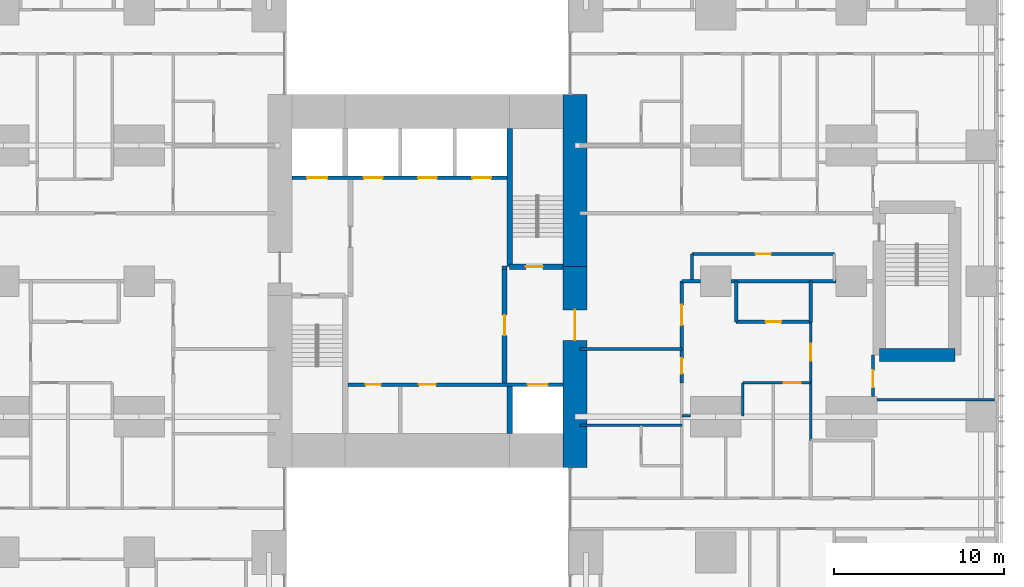
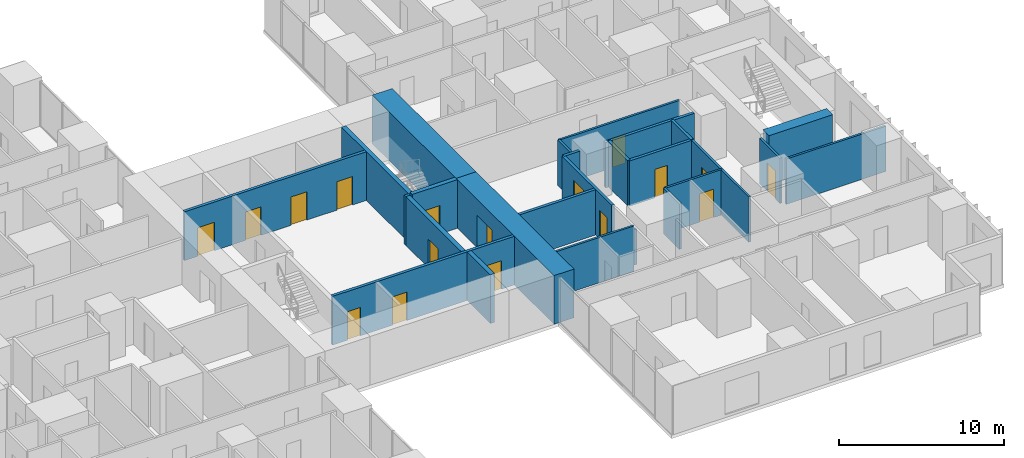
# One storey, part 15 of 20: 26 walls, 17 doors, 17 openings.
"""IFC4 building model written with IfcOpenShell, lengths in metres."""

from ifc_helpers import new_model, si_unit, direction, frame, frame_2d, origin, place, context, subcontext, project, spatial, rectangle, extrude, material, layer, layer_set, type_object, element, fill, save


model = new_model("IFC4")

# Units and contexts
model_context = context("Model", 3, precision=1e-05, world=origin(), true_north=direction((0.0, 1.0)))
body_context = subcontext(model_context, "Body", "Model", "MODEL_VIEW")
ifc_project = project(units=[si_unit("LENGTHUNIT", "METRE"), si_unit("AREAUNIT", "SQUARE_METRE"), si_unit("VOLUMEUNIT", "CUBIC_METRE"), si_unit("PLANEANGLEUNIT", "RADIAN"), si_unit("MASSUNIT", "GRAM", prefix="KILO")], contexts=[model_context])

# Site, building, storey
site_placement = place(None, origin())
site = spatial("IfcSite", under=ifc_project, at=site_placement, CompositionType="ELEMENT")
building_placement = place(site_placement, origin())
building = spatial("IfcBuilding", under=site, at=building_placement, Name="Cleftline Residences", CompositionType="ELEMENT")
storey_placement = place(building_placement, frame((0.0, 0.0, 185.800048828125)))
storey = spatial("IfcBuildingStorey", under=building, at=storey_placement, Name="L48", CompositionType="ELEMENT", Elevation=185.800048828125)

# Wall, opening, door
ifc_material_1 = material(Name="Concrete B70", Category="concrete")
ifc_layer_1 = layer(ifc_material_1, 1.39990234375)
ifc_layer_set_1 = layer_set([ifc_layer_1], Name="CORE WALL 1400")
wall_type_1 = type_object("IfcWallType", Name="CORE WALL 1400", PredefinedType="SHEAR", material=ifc_layer_set_1)
wall_1_placement = place(storey_placement, frame((41.699951171875, 13.0, 0.0), z_axis=(0.0, 0.0, 1.0), x_axis=(0.0, 1.0, 0.0)))
wall_1 = element("IfcWall", 1, at=wall_1_placement, inside=storey, type_object=wall_type_1, Name="Core wall E", PredefinedType="SHEAR", context=body_context, shape_type="SweptSolid", body=[
    extrude(rectangle(XDim=11.85009765625, YDim=1.39990234375, at=frame_2d((5.925048828125, 0.0))), origin(), (0.0, 0.0, 1.0), 3.599853515625),
])
opening_1_placement = place(wall_1_placement, frame((7.5, 0.0, 0.0)))
opening_1 = element("IfcOpeningElement", 2, at=opening_1_placement, cuts=wall_1, Name="Opening D7", PredefinedType="OPENING", context=body_context, shape_type="SweptSolid", body=[
    extrude(rectangle(XDim=1.800048828125, YDim=2.39990234375, at=frame_2d((0.89990234375, 1.199951171875))), frame((0.0, 0.7099609375, 0.0), z_axis=(0.0, -1.0, 0.0), x_axis=(1.0, 0.0, 0.0)), (0.0, 0.0, 1.0), 1.419921875),
])
ifc_material_2 = material(Name="Steel", Category="steel")
door_type_1 = type_object("IfcDoorType", Name="WING DOOR 1800X2400", OperationType="DOUBLE_DOOR_DOUBLE_SWING", PredefinedType="DOOR", material=ifc_material_2)
door_1_placement = place(opening_1_placement, origin())
door_1 = element("IfcDoor", 3, at=door_1_placement, inside=storey, type_object=door_type_1, Name="East wing door", OperationType="DOUBLE_DOOR_DOUBLE_SWING", OverallHeight=2.39990234375, OverallWidth=1.800048828125, PredefinedType="DOOR", context=body_context, shape_type="SweptSolid", body=[
    extrude(rectangle(XDim=1.800048828125, YDim=2.39990234375, at=frame_2d((0.89990234375, 1.199951171875))), frame((0.0, 0.02490234375, 0.0), z_axis=(0.0, -1.0, 0.0), x_axis=(1.0, 0.0, 0.0)), (0.0, 0.0, 1.0), 0.050048828125),
])
fill(opening_1, door_1)

# Walls
wall_2_placement = place(storey_placement, frame((41.699951171875, 24.85009765625, 0.0), z_axis=(0.0, 0.0, 1.0), x_axis=(0.0, 1.0, 0.0)))
element("IfcWall", 4, at=wall_2_placement, inside=storey, type_object=wall_type_1, Name="Core wall E1", PredefinedType="SHEAR", context=body_context, shape_type="SweptSolid", body=[
    extrude(rectangle(XDim=10.14990234375, YDim=1.39990234375, at=frame_2d((5.074951171875, 0.0))), origin(), (0.0, 0.0, 1.0), 3.599853515625),
])
ifc_material_3 = material(Name="Concrete B70", Category="concrete")
ifc_layer_2 = layer(ifc_material_3, 0.300048828125)
ifc_layer_set_2 = layer_set([ifc_layer_2], Name="CORE WALL 300")
wall_type_2 = type_object("IfcWallType", Name="CORE WALL 300", PredefinedType="SHEAR", material=ifc_layer_set_2)
wall_3_placement = place(storey_placement, frame((37.85009765625, 24.85009765625, 0.0), z_axis=(0.0, 0.0, 1.0), x_axis=(0.0, 1.0, 0.0)))
element("IfcWall", 5, at=wall_3_placement, inside=storey, type_object=wall_type_2, Name="Core wall SB-W", PredefinedType="SHEAR", context=body_context, shape_type="SweptSolid", body=[
    extrude(rectangle(XDim=8.14990234375, YDim=0.300048828125, at=frame_2d((4.074951171875, 0.0))), origin(), (0.0, 0.0, 1.0), 3.599853515625),
])

# Wall, opening, door
wall_4_placement = place(storey_placement, frame((37.85009765625, 24.85009765625, 0.0), z_axis=(0.0, 0.0, 1.0), x_axis=(1.0, 0.0, 0.0)))
wall_4 = element("IfcWall", 6, at=wall_4_placement, inside=storey, type_object=wall_type_2, Name="Core wall SB-S", PredefinedType="SHEAR", context=body_context, shape_type="SweptSolid", body=[
    extrude(rectangle(XDim=3.14990234375, YDim=0.300048828125, at=frame_2d((1.574951171875, 0.0))), origin(), (0.0, 0.0, 1.0), 3.599853515625),
])
opening_2_placement = place(wall_4_placement, frame((0.949951171875, 0.0, 0.0)))
opening_2 = element("IfcOpeningElement", 7, at=opening_2_placement, cuts=wall_4, Name="Opening D5", PredefinedType="OPENING", context=body_context, shape_type="SweptSolid", body=[
    extrude(rectangle(XDim=1.0, YDim=2.10009765625, at=frame_2d((0.5, 1.050048828125))), frame((0.0, 0.159912109375, 0.0), z_axis=(0.0, -1.0, 0.0), x_axis=(1.0, 0.0, 0.0)), (0.0, 0.0, 1.0), 0.320068359375),
])
ifc_material_4 = material(Name="Steel", Category="steel")
door_type_2 = type_object("IfcDoorType", Name="STAIR DOOR 1000X2100", OperationType="SINGLE_SWING_LEFT", PredefinedType="DOOR", material=ifc_material_4)
door_2_placement = place(opening_2_placement, origin())
door_2 = element("IfcDoor", 8, at=door_2_placement, inside=storey, type_object=door_type_2, Name="Stair B door", OperationType="SINGLE_SWING_RIGHT", OverallHeight=2.10009765625, OverallWidth=1.0, PredefinedType="DOOR", context=body_context, shape_type="SweptSolid", body=[
    extrude(rectangle(XDim=1.0, YDim=2.10009765625, at=frame_2d((0.5, 1.050048828125))), frame((0.0, 0.02490234375, 0.0), z_axis=(0.0, -1.0, 0.0), x_axis=(1.0, 0.0, 0.0)), (0.0, 0.0, 1.0), 0.050048828125),
])
fill(opening_2, door_2)

# Walls
wall_5_placement = place(storey_placement, frame((37.85009765625, 15.0, 0.0), z_axis=(0.0, 0.0, 1.0), x_axis=(0.0, 1.0, 0.0)))
element("IfcWall", 9, at=wall_5_placement, inside=storey, type_object=wall_type_2, Name="Lift shaft wall", PredefinedType="SHEAR", context=body_context, shape_type="SweptSolid", body=[
    extrude(rectangle(XDim=2.800048828125, YDim=0.300048828125, at=frame_2d((1.39990234375, 0.0))), origin(), (0.0, 0.0, 1.0), 3.599853515625),
])
ifc_material_5 = material(Name="Concrete blockwork, fire rated", Category="masonry")
ifc_layer_3 = layer(ifc_material_5, 0.199951171875)
ifc_layer_set_3 = layer_set([ifc_layer_3], Name="FIRE WALL 200")
wall_type_3 = type_object("IfcWallType", Name="FIRE WALL 200", PredefinedType="PARTITIONING", material=ifc_layer_set_3)
wall_6_placement = place(storey_placement, frame((42.0, 20.0, 0.0), z_axis=(0.0, 0.0, 1.0), x_axis=(1.0, 0.0, 0.0)))
element("IfcWall", 10, at=wall_6_placement, inside=storey, type_object=wall_type_3, Name="Fire separating wall", PredefinedType="PARTITIONING", context=body_context, shape_type="SweptSolid", body=[
    extrude(rectangle(XDim=6.0, YDim=0.199951171875, at=frame_2d((3.0, 0.0))), origin(), (0.0, 0.0, 1.0), 3.349853515625),
])

# Wall, opening, door
wall_7_placement = place(storey_placement, frame((51.199951171875, 21.60009765625, 0.0), z_axis=(0.0, 0.0, 1.0), x_axis=(1.0, 0.0, 0.0)))
wall_7 = element("IfcWall", 11, at=wall_7_placement, inside=storey, type_object=wall_type_3, Name="Fire separating wall", PredefinedType="PARTITIONING", context=body_context, shape_type="SweptSolid", body=[
    extrude(rectangle(XDim=4.400146484375, YDim=0.199951171875, at=frame_2d((2.2001953125, 0.0))), origin(), (0.0, 0.0, 1.0), 3.349853515625),
])
opening_3_placement = place(wall_7_placement, frame((1.75, 0.0, 0.0)))
opening_3 = element("IfcOpeningElement", 12, at=opening_3_placement, cuts=wall_7, Name="Opening D1F30", PredefinedType="OPENING", context=body_context, shape_type="SweptSolid", body=[
    extrude(rectangle(XDim=0.89990234375, YDim=2.10009765625, at=frame_2d((0.449951171875, 1.050048828125))), frame((0.0, 0.10986328125, 0.0), z_axis=(0.0, -1.0, 0.0), x_axis=(1.0, 0.0, 0.0)), (0.0, 0.0, 1.0), 0.219970703125),
])
ifc_material_6 = material(Name="Timber veneer on solid core", Category="wood")
door_type_3 = type_object("IfcDoorType", Name="DOOR 900X2100 EI 30", OperationType="SINGLE_SWING_LEFT", PredefinedType="DOOR", material=ifc_material_6)
door_3_placement = place(opening_3_placement, origin())
door_3 = element("IfcDoor", 13, at=door_3_placement, inside=storey, type_object=door_type_3, Name="Door to cloakroom wc", OperationType="SINGLE_SWING_LEFT", OverallHeight=2.10009765625, OverallWidth=0.89990234375, PredefinedType="DOOR", context=body_context, shape_type="SweptSolid", body=[
    extrude(rectangle(XDim=0.89990234375, YDim=2.10009765625, at=frame_2d((0.449951171875, 1.050048828125))), frame((0.0, 0.02490234375, 0.0), z_axis=(0.0, -1.0, 0.0), x_axis=(1.0, 0.0, 0.0)), (0.0, 0.0, 1.0), 0.050048828125),
])
fill(opening_3, door_3)

# Walls
wall_8_placement = place(storey_placement, frame((48.0, 24.0, 0.0), z_axis=(0.0, 0.0, 1.0), x_axis=(1.0, 0.0, 0.0)))
element("IfcWall", 14, at=wall_8_placement, inside=storey, type_object=wall_type_3, Name="Fire separating wall", PredefinedType="PARTITIONING", context=body_context, shape_type="SweptSolid", body=[
    extrude(rectangle(XDim=1.10009765625, YDim=0.199951171875, at=frame_2d((0.550048828125, 0.0))), origin(), (0.0, 0.0, 1.0), 3.349853515625),
])
wall_9_placement = place(storey_placement, frame((50.89990234375, 24.0, 0.0), z_axis=(0.0, 0.0, 1.0), x_axis=(1.0, 0.0, 0.0)))
element("IfcWall", 15, at=wall_9_placement, inside=storey, type_object=wall_type_3, Name="Fire separating wall", PredefinedType="PARTITIONING", context=body_context, shape_type="SweptSolid", body=[
    extrude(rectangle(XDim=6.2001953125, YDim=0.199951171875, at=frame_2d((3.10009765625, 0.0))), origin(), (0.0, 0.0, 1.0), 3.349853515625),
])

# Wall, openings, doors
wall_10_placement = place(storey_placement, frame((48.0, 18.0, 0.0), z_axis=(0.0, 0.0, 1.0), x_axis=(0.0, 1.0, 0.0)))
wall_10 = element("IfcWall", 16, at=wall_10_placement, inside=storey, type_object=wall_type_3, Name="Fire separating wall", PredefinedType="PARTITIONING", context=body_context, shape_type="SweptSolid", body=[
    extrude(rectangle(XDim=6.0, YDim=0.199951171875, at=frame_2d((3.0, 0.0))), origin(), (0.0, 0.0, 1.0), 3.349853515625),
])
opening_4_placement = place(wall_10_placement, frame((3.39990234375, 0.0, 0.0)))
opening_4 = element("IfcOpeningElement", 17, at=opening_4_placement, cuts=wall_10, Name="Opening D4", PredefinedType="OPENING", context=body_context, shape_type="SweptSolid", body=[
    extrude(rectangle(XDim=1.199951171875, YDim=2.39990234375, at=frame_2d((0.60009765625, 1.199951171875))), frame((0.0, 0.10986328125, 0.0), z_axis=(0.0, -1.0, 0.0), x_axis=(1.0, 0.0, 0.0)), (0.0, 0.0, 1.0), 0.219970703125),
])
opening_5_placement = place(wall_10_placement, frame((0.550048828125, 0.0, 0.0)))
opening_5 = element("IfcOpeningElement", 18, at=opening_5_placement, cuts=wall_10, Name="Opening D1F30", PredefinedType="OPENING", context=body_context, shape_type="SweptSolid", body=[
    extrude(rectangle(XDim=0.89990234375, YDim=2.10009765625, at=frame_2d((0.449951171875, 1.050048828125))), frame((0.0, 0.10986328125, 0.0), z_axis=(0.0, -1.0, 0.0), x_axis=(1.0, 0.0, 0.0)), (0.0, 0.0, 1.0), 0.219970703125),
])
ifc_material_7 = material(Name="Timber veneer on solid core", Category="wood")
door_type_4 = type_object("IfcDoorType", Name="APARTMENT ENTRANCE DOOR 1200X2400", OperationType="SINGLE_SWING_RIGHT", PredefinedType="DOOR", material=ifc_material_7)
door_4_placement = place(opening_4_placement, origin())
door_4 = element("IfcDoor", 19, at=door_4_placement, inside=storey, type_object=door_type_4, Name="Door to residence entrance foyer", OperationType="SINGLE_SWING_LEFT", OverallHeight=2.39990234375, OverallWidth=1.199951171875, PredefinedType="DOOR", context=body_context, shape_type="SweptSolid", body=[
    extrude(rectangle(XDim=1.199951171875, YDim=2.39990234375, at=frame_2d((0.60009765625, 1.199951171875))), frame((0.0, 0.02490234375, 0.0), z_axis=(0.0, -1.0, 0.0), x_axis=(1.0, 0.0, 0.0)), (0.0, 0.0, 1.0), 0.050048828125),
])
fill(opening_4, door_4)
door_5_placement = place(opening_5_placement, origin())
door_5 = element("IfcDoor", 20, at=door_5_placement, inside=storey, type_object=door_type_3, Name="Door to drying loggia", OperationType="SINGLE_SWING_RIGHT", OverallHeight=2.10009765625, OverallWidth=0.89990234375, PredefinedType="DOOR", context=body_context, shape_type="SweptSolid", body=[
    extrude(rectangle(XDim=0.89990234375, YDim=2.10009765625, at=frame_2d((0.449951171875, 1.050048828125))), frame((0.0, 0.02490234375, 0.0), z_axis=(0.0, -1.0, 0.0), x_axis=(1.0, 0.0, 0.0)), (0.0, 0.0, 1.0), 0.050048828125),
])
fill(opening_5, door_5)

# Walls
for number, where, z_axis, x_axis, name in (
    (21, (51.199951171875, 21.60009765625, 0.0), (0.0, 0.0, 1.0), (0.0, 1.0, 0.0), "Fire separating wall"),
    (22, (55.60009765625, 21.60009765625, 0.0), (0.0, 0.0, 1.0), (0.0, 1.0, 0.0), "Fire separating wall"),
):
    element("IfcWall", number, at=place(storey_placement, frame(where, z_axis=z_axis, x_axis=x_axis)), inside=storey, type_object=wall_type_3, Name=name, PredefinedType="PARTITIONING", context=body_context, shape_type="SweptSolid", body=[
        extrude(rectangle(XDim=2.39990234375, YDim=0.199951171875, at=frame_2d((1.199951171875, 0.0))), origin(), (0.0, 0.0, 1.0), 3.349853515625),
    ])
wall_11_placement = place(storey_placement, frame((37.39990234375, 24.800048828125, 0.0), z_axis=(0.0, 0.0, 1.0), x_axis=(1.0, 0.0, 0.0)))
element("IfcWall", 23, at=wall_11_placement, inside=storey, type_object=wall_type_3, Name="Fire separating wall", PredefinedType="PARTITIONING", context=body_context, shape_type="SweptSolid", body=[
    extrude(rectangle(XDim=0.300048828125, YDim=0.199951171875, at=frame_2d((0.14990234375, 0.0))), origin(), (0.0, 0.0, 1.0), 3.599853515625),
])
ifc_material_8 = material(Name="Gypsum board on steel studs", Category="steel")
ifc_layer_4 = layer(ifc_material_8, 0.14990234375)
ifc_layer_set_4 = layer_set([ifc_layer_4], Name="PARTITION 150")
wall_type_4 = type_object("IfcWallType", Name="PARTITION 150", PredefinedType="PARTITIONING", material=ifc_layer_set_4)
wall_12_placement = place(storey_placement, frame((42.0, 15.5, 0.0), z_axis=(0.0, 0.0, 1.0), x_axis=(1.0, 0.0, 0.0)))
element("IfcWall", 24, at=wall_12_placement, inside=storey, type_object=wall_type_4, Name="Partition", PredefinedType="PARTITIONING", context=body_context, shape_type="SweptSolid", body=[
    extrude(rectangle(XDim=6.0, YDim=0.14990234375, at=frame_2d((3.0, 0.0))), origin(), (0.0, 0.0, 1.0), 3.349853515625),
])
wall_13_placement = place(storey_placement, frame((48.0, 16.050048828125, 0.0), z_axis=(0.0, 0.0, 1.0), x_axis=(1.0, 0.0, 0.0)))
element("IfcWall", 25, at=wall_13_placement, inside=storey, type_object=wall_type_4, Name="Partition", PredefinedType="PARTITIONING", context=body_context, shape_type="SweptSolid", body=[
    extrude(rectangle(XDim=0.5, YDim=0.14990234375, at=frame_2d((0.25, 0.0))), origin(), (0.0, 0.0, 1.0), 2.634033203125),
])
wall_14_placement = place(storey_placement, frame((59.5, 17.0, 0.0), z_axis=(0.0, 0.0, 1.0), x_axis=(1.0, 0.0, 0.0)))
element("IfcWall", 26, at=wall_14_placement, inside=storey, type_object=wall_type_4, Name="Partition", PredefinedType="PARTITIONING", context=body_context, shape_type="SweptSolid", body=[
    extrude(rectangle(XDim=6.949951171875, YDim=0.14990234375, at=frame_2d((3.47509765625, 0.0))), origin(), (0.0, 0.0, 1.0), 3.349853515625),
])

# Wall, opening, door
wall_15_placement = place(storey_placement, frame((51.60009765625, 18.0, 0.0), z_axis=(0.0, 0.0, 1.0), x_axis=(1.0, 0.0, 0.0)))
wall_15 = element("IfcWall", 27, at=wall_15_placement, inside=storey, type_object=wall_type_4, Name="Partition", PredefinedType="PARTITIONING", context=body_context, shape_type="SweptSolid", body=[
    extrude(rectangle(XDim=4.0, YDim=0.14990234375, at=frame_2d((2.0, 0.0))), origin(), (0.0, 0.0, 1.0), 3.349853515625),
])
opening_6_placement = place(wall_15_placement, frame((2.39990234375, 0.0, 0.0)))
opening_6 = element("IfcOpeningElement", 28, at=opening_6_placement, cuts=wall_15, Name="Opening D2", PredefinedType="OPENING", context=body_context, shape_type="SweptSolid", body=[
    extrude(rectangle(XDim=1.0, YDim=2.10009765625, at=frame_2d((0.5, 1.050048828125))), frame((0.0, 0.0849609375, 0.0), z_axis=(0.0, -1.0, 0.0), x_axis=(1.0, 0.0, 0.0)), (0.0, 0.0, 1.0), 0.169921875),
])
ifc_material_9 = material(Name="Timber veneer on solid core", Category="wood")
door_type_5 = type_object("IfcDoorType", Name="DOOR 1000X2100", OperationType="SINGLE_SWING_LEFT", PredefinedType="DOOR", material=ifc_material_9)
door_6_placement = place(opening_6_placement, origin())
door_6 = element("IfcDoor", 29, at=door_6_placement, inside=storey, type_object=door_type_5, Name="Door to residence passage", OperationType="SINGLE_SWING_LEFT", OverallHeight=2.10009765625, OverallWidth=1.0, PredefinedType="DOOR", context=body_context, shape_type="SweptSolid", body=[
    extrude(rectangle(XDim=1.0, YDim=2.10009765625, at=frame_2d((0.5, 1.050048828125))), frame((0.0, 0.02490234375, 0.0), z_axis=(0.0, -1.0, 0.0), x_axis=(1.0, 0.0, 0.0)), (0.0, 0.0, 1.0), 0.050048828125),
])
fill(opening_6, door_6)

wall_16_placement = place(storey_placement, frame((48.60009765625, 25.60009765625, 0.0), z_axis=(0.0, 0.0, 1.0), x_axis=(1.0, 0.0, 0.0)))
wall_16 = element("IfcWall", 30, at=wall_16_placement, inside=storey, type_object=wall_type_4, Name="Partition", PredefinedType="PARTITIONING", context=body_context, shape_type="SweptSolid", body=[
    extrude(rectangle(XDim=8.39990234375, YDim=0.14990234375, at=frame_2d((4.199951171875, 0.0))), origin(), (0.0, 0.0, 1.0), 3.349853515625),
])
opening_7_placement = place(wall_16_placement, frame((3.75, 0.0, 0.0)))
opening_7 = element("IfcOpeningElement", 31, at=opening_7_placement, cuts=wall_16, Name="Opening D1", PredefinedType="OPENING", context=body_context, shape_type="SweptSolid", body=[
    extrude(rectangle(XDim=0.89990234375, YDim=2.10009765625, at=frame_2d((0.449951171875, 1.050048828125))), frame((0.0, 0.0849609375, 0.0), z_axis=(0.0, -1.0, 0.0), x_axis=(1.0, 0.0, 0.0)), (0.0, 0.0, 1.0), 0.169921875),
])
ifc_material_10 = material(Name="Timber veneer on solid core", Category="wood")
door_type_6 = type_object("IfcDoorType", Name="DOOR 900X2100", OperationType="SINGLE_SWING_LEFT", PredefinedType="DOOR", material=ifc_material_10)
door_7_placement = place(opening_7_placement, origin())
door_7 = element("IfcDoor", 32, at=door_7_placement, inside=storey, type_object=door_type_6, Name="Door to residents' locker room", OperationType="SINGLE_SWING_LEFT", OverallHeight=2.10009765625, OverallWidth=0.89990234375, PredefinedType="DOOR", context=body_context, shape_type="SweptSolid", body=[
    extrude(rectangle(XDim=0.89990234375, YDim=2.10009765625, at=frame_2d((0.449951171875, 1.050048828125))), frame((0.0, 0.02490234375, 0.0), z_axis=(0.0, -1.0, 0.0), x_axis=(1.0, 0.0, 0.0)), (0.0, 0.0, 1.0), 0.050048828125),
])
fill(opening_7, door_7)

# Walls
wall_17_placement = place(storey_placement, frame((48.60009765625, 24.0, 0.0), z_axis=(0.0, 0.0, 1.0), x_axis=(0.0, 1.0, 0.0)))
element("IfcWall", 33, at=wall_17_placement, inside=storey, type_object=wall_type_4, Name="Partition", PredefinedType="PARTITIONING", context=body_context, shape_type="SweptSolid", body=[
    extrude(rectangle(XDim=1.60009765625, YDim=0.14990234375, at=frame_2d((0.800048828125, 0.0))), origin(), (0.0, 0.0, 1.0), 3.349853515625),
])
wall_18_placement = place(storey_placement, frame((51.60009765625, 16.050048828125, 0.0), z_axis=(0.0, 0.0, 1.0), x_axis=(0.0, 1.0, 0.0)))
element("IfcWall", 34, at=wall_18_placement, inside=storey, type_object=wall_type_4, Name="Partition", PredefinedType="PARTITIONING", context=body_context, shape_type="SweptSolid", body=[
    extrude(rectangle(XDim=1.949951171875, YDim=0.14990234375, at=frame_2d((0.97509765625, 0.0))), origin(), (0.0, 0.0, 1.0), 3.349853515625),
])

# Wall, opening, door
wall_19_placement = place(storey_placement, frame((55.60009765625, 14.60009765625, 0.0), z_axis=(0.0, 0.0, 1.0), x_axis=(0.0, 1.0, 0.0)))
wall_19 = element("IfcWall", 35, at=wall_19_placement, inside=storey, type_object=wall_type_4, Name="Partition", PredefinedType="PARTITIONING", context=body_context, shape_type="SweptSolid", body=[
    extrude(rectangle(XDim=7.0, YDim=0.14990234375, at=frame_2d((3.5, 0.0))), origin(), (0.0, 0.0, 1.0), 3.349853515625),
])
opening_8_placement = place(wall_19_placement, frame((4.699951171875, 0.0, 0.0)))
opening_8 = element("IfcOpeningElement", 36, at=opening_8_placement, cuts=wall_19, Name="Opening D2F30", PredefinedType="OPENING", context=body_context, shape_type="SweptSolid", body=[
    extrude(rectangle(XDim=1.0, YDim=2.10009765625, at=frame_2d((0.5, 1.050048828125))), frame((0.0, 0.0849609375, 0.0), z_axis=(0.0, -1.0, 0.0), x_axis=(1.0, 0.0, 0.0)), (0.0, 0.0, 1.0), 0.169921875),
])
ifc_material_11 = material(Name="Timber veneer on solid core", Category="wood")
door_type_7 = type_object("IfcDoorType", Name="DOOR 1000X2100 EI 30", OperationType="SINGLE_SWING_LEFT", PredefinedType="DOOR", material=ifc_material_11)
door_8_placement = place(opening_8_placement, origin())
door_8 = element("IfcDoor", 37, at=door_8_placement, inside=storey, type_object=door_type_7, Name="Door to residence lobby", OperationType="SINGLE_SWING_LEFT", OverallHeight=2.10009765625, OverallWidth=1.0, PredefinedType="DOOR", context=body_context, shape_type="SweptSolid", body=[
    extrude(rectangle(XDim=1.0, YDim=2.10009765625, at=frame_2d((0.5, 1.050048828125))), frame((0.0, 0.02490234375, 0.0), z_axis=(0.0, -1.0, 0.0), x_axis=(1.0, 0.0, 0.0)), (0.0, 0.0, 1.0), 0.050048828125),
])
fill(opening_8, door_8)

wall_20_placement = place(storey_placement, frame((59.27490234375, 17.199951171875, 0.0), z_axis=(0.0, 0.0, 1.0), x_axis=(0.0, 1.0, 0.0)))
wall_20 = element("IfcWall", 38, at=wall_20_placement, inside=storey, type_object=wall_type_4, Name="Partition", PredefinedType="PARTITIONING", context=body_context, shape_type="SweptSolid", body=[
    extrude(rectangle(XDim=2.449951171875, YDim=0.14990234375, at=frame_2d((1.22509765625, 0.0))), origin(), (0.0, 0.0, 1.0), 3.349853515625),
])
opening_9_placement = place(wall_20_placement, frame((0.53759765625, 0.0, 0.0)))
opening_9 = element("IfcOpeningElement", 39, at=opening_9_placement, cuts=wall_20, Name="Opening D2", PredefinedType="OPENING", context=body_context, shape_type="SweptSolid", body=[
    extrude(rectangle(XDim=1.0, YDim=2.10009765625, at=frame_2d((0.5, 1.050048828125))), frame((0.0, 0.0849609375, 0.0), z_axis=(0.0, -1.0, 0.0), x_axis=(1.0, 0.0, 0.0)), (0.0, 0.0, 1.0), 0.169921875),
])
door_9_placement = place(opening_9_placement, origin())
door_9 = element("IfcDoor", 40, at=door_9_placement, inside=storey, type_object=door_type_5, Name="Door to altar room", OperationType="SINGLE_SWING_RIGHT", OverallHeight=2.10009765625, OverallWidth=1.0, PredefinedType="DOOR", context=body_context, shape_type="SweptSolid", body=[
    extrude(rectangle(XDim=1.0, YDim=2.10009765625, at=frame_2d((0.5, 1.050048828125))), frame((0.0, 0.02490234375, 0.0), z_axis=(0.0, -1.0, 0.0), x_axis=(1.0, 0.0, 0.0)), (0.0, 0.0, 1.0), 0.050048828125),
])
fill(opening_9, door_9)

# Wall, openings, doors
ifc_material_12 = material(Name="Concrete blockwork, fire rated", Category="masonry")
ifc_layer_5 = layer(ifc_material_12, 0.199951171875)
ifc_layer_set_5 = layer_set([ifc_layer_5], Name="SHAFT WALL 200")
wall_type_5 = type_object("IfcWallType", Name="SHAFT WALL 200", PredefinedType="PARTITIONING", material=ifc_layer_set_5)
wall_21_placement = place(storey_placement, frame((28.300048828125, 17.89990234375, 0.0), z_axis=(0.0, 0.0, 1.0), x_axis=(1.0, 0.0, 0.0)))
wall_21 = element("IfcWall", 41, at=wall_21_placement, inside=storey, type_object=wall_type_5, Name="Core room wall", PredefinedType="PARTITIONING", context=body_context, shape_type="SweptSolid", body=[
    extrude(rectangle(XDim=12.699951171875, YDim=0.199951171875, at=frame_2d((6.35009765625, 0.0))), origin(), (0.0, 0.0, 1.0), 3.599853515625),
])
opening_10_placement = place(wall_21_placement, frame((1.050048828125, 0.0, 0.0)))
opening_10 = element("IfcOpeningElement", 42, at=opening_10_placement, cuts=wall_21, Name="Opening D1F30", PredefinedType="OPENING", context=body_context, shape_type="SweptSolid", body=[
    extrude(rectangle(XDim=0.89990234375, YDim=2.10009765625, at=frame_2d((0.449951171875, 1.050048828125))), frame((0.0, 0.10986328125, 0.0), z_axis=(0.0, -1.0, 0.0), x_axis=(1.0, 0.0, 0.0)), (0.0, 0.0, 1.0), 0.219970703125),
])
opening_11_placement = place(wall_21_placement, frame((4.199951171875, 0.0, 0.0)))
opening_11 = element("IfcOpeningElement", 43, at=opening_11_placement, cuts=wall_21, Name="Opening D2F60", PredefinedType="OPENING", context=body_context, shape_type="SweptSolid", body=[
    extrude(rectangle(XDim=1.0, YDim=2.10009765625, at=frame_2d((0.5, 1.050048828125))), frame((0.0, 0.10986328125, 0.0), z_axis=(0.0, -1.0, 0.0), x_axis=(1.0, 0.0, 0.0)), (0.0, 0.0, 1.0), 0.219970703125),
])
opening_12_placement = place(wall_21_placement, frame((10.60009765625, 0.0, 0.0)))
opening_12 = element("IfcOpeningElement", 44, at=opening_12_placement, cuts=wall_21, Name="Opening LD2", PredefinedType="OPENING", context=body_context, shape_type="SweptSolid", body=[
    extrude(rectangle(XDim=1.199951171875, YDim=2.10009765625, at=frame_2d((0.60009765625, 1.050048828125))), frame((0.0, 0.10986328125, 0.0), z_axis=(0.0, -1.0, 0.0), x_axis=(1.0, 0.0, 0.0)), (0.0, 0.0, 1.0), 0.219970703125),
])
ifc_material_13 = material(Name="Timber veneer on solid core", Category="wood")
door_type_8 = type_object("IfcDoorType", Name="DOOR 1000X2100 EI 60", OperationType="SINGLE_SWING_LEFT", PredefinedType="DOOR", material=ifc_material_13)
door_10_placement = place(opening_11_placement, origin())
door_10 = element("IfcDoor", 45, at=door_10_placement, inside=storey, type_object=door_type_8, Name="Door to electrical room", OperationType="SINGLE_SWING_RIGHT", OverallHeight=2.10009765625, OverallWidth=1.0, PredefinedType="DOOR", context=body_context, shape_type="SweptSolid", body=[
    extrude(rectangle(XDim=1.0, YDim=2.10009765625, at=frame_2d((0.5, 1.050048828125))), frame((0.0, 0.02490234375, 0.0), z_axis=(0.0, -1.0, 0.0), x_axis=(1.0, 0.0, 0.0)), (0.0, 0.0, 1.0), 0.050048828125),
])
fill(opening_11, door_10)
door_11_placement = place(opening_10_placement, origin())
door_11 = element("IfcDoor", 46, at=door_11_placement, inside=storey, type_object=door_type_3, Name="Door to cleaner's store", OperationType="SINGLE_SWING_RIGHT", OverallHeight=2.10009765625, OverallWidth=0.89990234375, PredefinedType="DOOR", context=body_context, shape_type="SweptSolid", body=[
    extrude(rectangle(XDim=0.89990234375, YDim=2.10009765625, at=frame_2d((0.449951171875, 1.050048828125))), frame((0.0, 0.02490234375, 0.0), z_axis=(0.0, -1.0, 0.0), x_axis=(1.0, 0.0, 0.0)), (0.0, 0.0, 1.0), 0.050048828125),
])
fill(opening_10, door_11)
ifc_material_14 = material(Name="Steel", Category="steel")
door_type_9 = type_object("IfcDoorType", Name="FIREFIGHTING LIFT LANDING DOOR 1200X2100", OperationType="SLIDING_TO_LEFT", PredefinedType="DOOR", material=ifc_material_14)
door_12_placement = place(opening_12_placement, origin())
door_12 = element("IfcDoor", 47, at=door_12_placement, inside=storey, type_object=door_type_9, Name="Lift FL2 landing door", OperationType="SLIDING_TO_LEFT", OverallHeight=2.10009765625, OverallWidth=1.199951171875, PredefinedType="DOOR", context=body_context, shape_type="SweptSolid", body=[
    extrude(rectangle(XDim=1.199951171875, YDim=2.10009765625, at=frame_2d((0.60009765625, 1.050048828125))), frame((0.0, 0.02490234375, 0.0), z_axis=(0.0, -1.0, 0.0), x_axis=(1.0, 0.0, 0.0)), (0.0, 0.0, 1.0), 0.050048828125),
])
fill(opening_12, door_12)

wall_22_placement = place(storey_placement, frame((25.0, 30.10009765625, 0.0), z_axis=(0.0, 0.0, 1.0), x_axis=(1.0, 0.0, 0.0)))
wall_22 = element("IfcWall", 48, at=wall_22_placement, inside=storey, type_object=wall_type_5, Name="Lift shaft wall", PredefinedType="PARTITIONING", context=body_context, shape_type="SweptSolid", body=[
    extrude(rectangle(XDim=12.699951171875, YDim=0.199951171875, at=frame_2d((6.35009765625, 0.0))), origin(), (0.0, 0.0, 1.0), 3.599853515625),
])
opening_13_placement = place(wall_22_placement, frame((4.25, 0.0, 0.0)))
opening_13 = element("IfcOpeningElement", 49, at=opening_13_placement, cuts=wall_22, Name="Opening LD1", PredefinedType="OPENING", context=body_context, shape_type="SweptSolid", body=[
    extrude(rectangle(XDim=1.10009765625, YDim=2.10009765625, at=frame_2d((0.550048828125, 1.050048828125))), frame((0.0, 0.10986328125, 0.0), z_axis=(0.0, -1.0, 0.0), x_axis=(1.0, 0.0, 0.0)), (0.0, 0.0, 1.0), 0.219970703125),
])
opening_14_placement = place(wall_22_placement, frame((7.449951171875, 0.0, 0.0)))
opening_14 = element("IfcOpeningElement", 50, at=opening_14_placement, cuts=wall_22, Name="Opening LD1", PredefinedType="OPENING", context=body_context, shape_type="SweptSolid", body=[
    extrude(rectangle(XDim=1.10009765625, YDim=2.10009765625, at=frame_2d((0.550048828125, 1.050048828125))), frame((0.0, 0.10986328125, 0.0), z_axis=(0.0, -1.0, 0.0), x_axis=(1.0, 0.0, 0.0)), (0.0, 0.0, 1.0), 0.219970703125),
])
opening_15_placement = place(wall_22_placement, frame((10.64990234375, 0.0, 0.0)))
opening_15 = element("IfcOpeningElement", 51, at=opening_15_placement, cuts=wall_22, Name="Opening LD1", PredefinedType="OPENING", context=body_context, shape_type="SweptSolid", body=[
    extrude(rectangle(XDim=1.10009765625, YDim=2.10009765625, at=frame_2d((0.550048828125, 1.050048828125))), frame((0.0, 0.10986328125, 0.0), z_axis=(0.0, -1.0, 0.0), x_axis=(1.0, 0.0, 0.0)), (0.0, 0.0, 1.0), 0.219970703125),
])
opening_16_placement = place(wall_22_placement, frame((0.89990234375, 0.0, 0.0)))
opening_16 = element("IfcOpeningElement", 52, at=opening_16_placement, cuts=wall_22, Name="Opening LD2", PredefinedType="OPENING", context=body_context, shape_type="SweptSolid", body=[
    extrude(rectangle(XDim=1.199951171875, YDim=2.10009765625, at=frame_2d((0.60009765625, 1.050048828125))), frame((0.0, 0.10986328125, 0.0), z_axis=(0.0, -1.0, 0.0), x_axis=(1.0, 0.0, 0.0)), (0.0, 0.0, 1.0), 0.219970703125),
])
door_13_placement = place(opening_16_placement, origin())
door_13 = element("IfcDoor", 53, at=door_13_placement, inside=storey, type_object=door_type_9, Name="Lift FL1 landing door", OperationType="SLIDING_TO_LEFT", OverallHeight=2.10009765625, OverallWidth=1.199951171875, PredefinedType="DOOR", context=body_context, shape_type="SweptSolid", body=[
    extrude(rectangle(XDim=1.199951171875, YDim=2.10009765625, at=frame_2d((0.60009765625, 1.050048828125))), frame((0.0, 0.02490234375, 0.0), z_axis=(0.0, -1.0, 0.0), x_axis=(1.0, 0.0, 0.0)), (0.0, 0.0, 1.0), 0.050048828125),
])
fill(opening_16, door_13)
ifc_material_15 = material(Name="Steel", Category="steel")
door_type_10 = type_object("IfcDoorType", Name="LIFT LANDING DOOR 1100X2100", OperationType="SLIDING_TO_LEFT", PredefinedType="DOOR", material=ifc_material_15)
door_14_placement = place(opening_13_placement, origin())
door_14 = element("IfcDoor", 54, at=door_14_placement, inside=storey, type_object=door_type_10, Name="Lift P4 landing door", OperationType="SLIDING_TO_LEFT", OverallHeight=2.10009765625, OverallWidth=1.10009765625, PredefinedType="DOOR", context=body_context, shape_type="SweptSolid", body=[
    extrude(rectangle(XDim=1.10009765625, YDim=2.10009765625, at=frame_2d((0.550048828125, 1.050048828125))), frame((0.0, 0.02490234375, 0.0), z_axis=(0.0, -1.0, 0.0), x_axis=(1.0, 0.0, 0.0)), (0.0, 0.0, 1.0), 0.050048828125),
])
fill(opening_13, door_14)
door_15_placement = place(opening_14_placement, origin())
door_15 = element("IfcDoor", 55, at=door_15_placement, inside=storey, type_object=door_type_10, Name="Lift P5 landing door", OperationType="SLIDING_TO_LEFT", OverallHeight=2.10009765625, OverallWidth=1.10009765625, PredefinedType="DOOR", context=body_context, shape_type="SweptSolid", body=[
    extrude(rectangle(XDim=1.10009765625, YDim=2.10009765625, at=frame_2d((0.550048828125, 1.050048828125))), frame((0.0, 0.02490234375, 0.0), z_axis=(0.0, -1.0, 0.0), x_axis=(1.0, 0.0, 0.0)), (0.0, 0.0, 1.0), 0.050048828125),
])
fill(opening_14, door_15)
door_16_placement = place(opening_15_placement, origin())
door_16 = element("IfcDoor", 56, at=door_16_placement, inside=storey, type_object=door_type_10, Name="Lift P6 landing door", OperationType="SLIDING_TO_LEFT", OverallHeight=2.10009765625, OverallWidth=1.10009765625, PredefinedType="DOOR", context=body_context, shape_type="SweptSolid", body=[
    extrude(rectangle(XDim=1.10009765625, YDim=2.10009765625, at=frame_2d((0.550048828125, 1.050048828125))), frame((0.0, 0.02490234375, 0.0), z_axis=(0.0, -1.0, 0.0), x_axis=(1.0, 0.0, 0.0)), (0.0, 0.0, 1.0), 0.050048828125),
])
fill(opening_15, door_16)

# Wall
ifc_material_16 = material(Name="Concrete B70", Category="concrete")
ifc_layer_6 = layer(ifc_material_16, 0.75)
ifc_layer_set_6 = layer_set([ifc_layer_6], Name="SHEAR WALL 750")
wall_type_6 = type_object("IfcWallType", Name="SHEAR WALL 750", PredefinedType="SHEAR", material=ifc_layer_set_6)
wall_23_placement = place(storey_placement, frame((59.64990234375, 19.64990234375, 0.0), z_axis=(0.0, 0.0, 1.0), x_axis=(1.0, 0.0, 0.0)))
element("IfcWall", 57, at=wall_23_placement, inside=storey, type_object=wall_type_6, Name="Wing shear wall", PredefinedType="SHEAR", context=body_context, shape_type="SweptSolid", body=[
    extrude(rectangle(XDim=4.4501953125, YDim=0.75, at=frame_2d((2.22509765625, 0.0))), origin(), (0.0, 0.0, 1.0), 3.599853515625),
])

# Wall, opening, door
ifc_material_17 = material(Name="Concrete blockwork, fire rated", Category="masonry")
ifc_layer_7 = layer(ifc_material_17, 0.300048828125)
ifc_layer_set_7 = layer_set([ifc_layer_7], Name="STAIR LOBBY WALL 300")
wall_type_7 = type_object("IfcWallType", Name="STAIR LOBBY WALL 300", PredefinedType="PARTITIONING", material=ifc_layer_set_7)
wall_24_placement = place(storey_placement, frame((37.550048828125, 18.0, 0.0), z_axis=(0.0, 0.0, 1.0), x_axis=(0.0, 1.0, 0.0)))
wall_24 = element("IfcWall", 58, at=wall_24_placement, inside=storey, type_object=wall_type_7, Name="Stair and lobby wall FB-W", PredefinedType="PARTITIONING", context=body_context, shape_type="SweptSolid", body=[
    extrude(rectangle(XDim=6.699951171875, YDim=0.300048828125, at=frame_2d((3.35009765625, 0.0))), origin(), (0.0, 0.0, 1.0), 3.599853515625),
])
opening_17_placement = place(wall_24_placement, frame((2.800048828125, 0.0, 0.0)))
opening_17 = element("IfcOpeningElement", 59, at=opening_17_placement, cuts=wall_24, Name="Opening D6", PredefinedType="OPENING", context=body_context, shape_type="SweptSolid", body=[
    extrude(rectangle(XDim=1.199951171875, YDim=2.10009765625, at=frame_2d((0.60009765625, 1.050048828125))), frame((0.0, 0.159912109375, 0.0), z_axis=(0.0, -1.0, 0.0), x_axis=(1.0, 0.0, 0.0)), (0.0, 0.0, 1.0), 0.320068359375),
])
ifc_material_18 = material(Name="Steel", Category="steel")
door_type_11 = type_object("IfcDoorType", Name="LOBBY DOOR 1200X2100", OperationType="SINGLE_SWING_RIGHT", PredefinedType="DOOR", material=ifc_material_18)
door_17_placement = place(opening_17_placement, origin())
door_17 = element("IfcDoor", 60, at=door_17_placement, inside=storey, type_object=door_type_11, Name="Firefighting lobby B door", OperationType="SINGLE_SWING_LEFT", OverallHeight=2.10009765625, OverallWidth=1.199951171875, PredefinedType="DOOR", context=body_context, shape_type="SweptSolid", body=[
    extrude(rectangle(XDim=1.199951171875, YDim=2.10009765625, at=frame_2d((0.60009765625, 1.050048828125))), frame((0.0, 0.02490234375, 0.0), z_axis=(0.0, -1.0, 0.0), x_axis=(1.0, 0.0, 0.0)), (0.0, 0.0, 1.0), 0.050048828125),
])
fill(opening_17, door_17)

save(model, "model.ifc")
